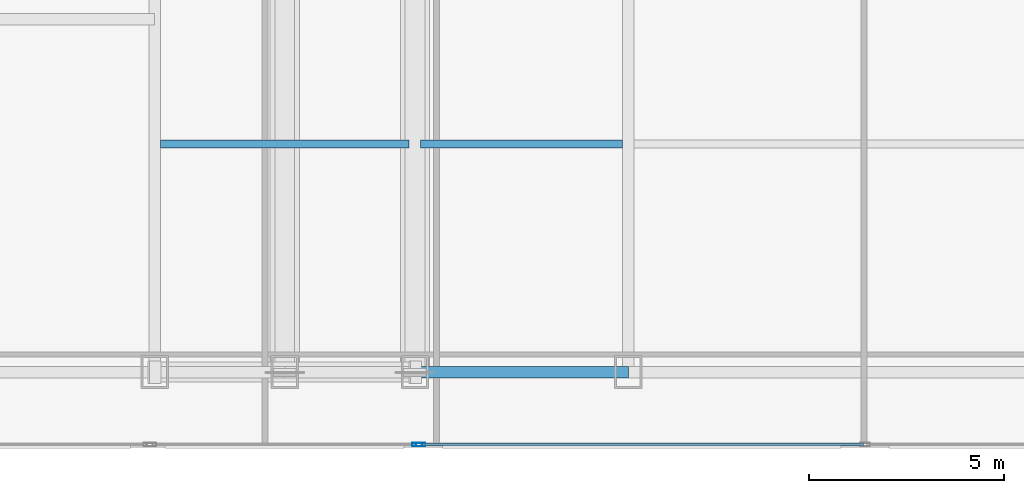
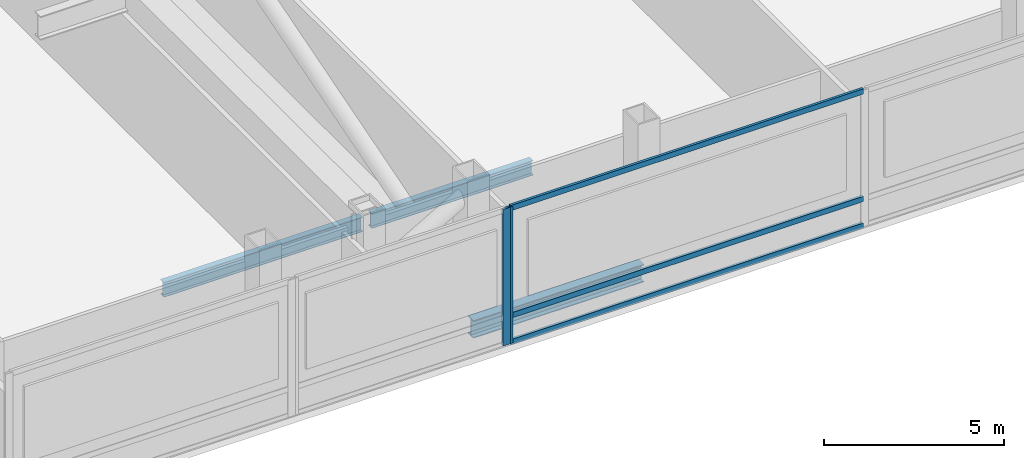
# One storey, part 8 of 30: 5 members, 3 beams, 2 elements without a shape of their own.
"""IFC4 building model written with IfcOpenShell, lengths in metres."""

from ifc_helpers import new_model, si_unit, direction, frame, origin, origin_2d, place, context, subcontext, project, spatial, hollow_rectangle, i_section, extrude, material, material_profile, profile_set, type_object, element, aggregate, save


model = new_model("IFC4")

# Units and contexts
model_context = context("Model", 3, precision=1e-05, world=origin(), true_north=direction((0.0, 1.0)))
body_context = subcontext(model_context, "Body", "Model", "MODEL_VIEW")
ifc_project = project(units=[si_unit("LENGTHUNIT", "METRE"), si_unit("AREAUNIT", "SQUARE_METRE"), si_unit("VOLUMEUNIT", "CUBIC_METRE"), si_unit("PLANEANGLEUNIT", "RADIAN"), si_unit("MASSUNIT", "GRAM", prefix="KILO")], contexts=[model_context])

# Site, building, storey
site_placement = place(None, origin())
site = spatial("IfcSite", under=ifc_project, at=site_placement, CompositionType="ELEMENT")
building_placement = place(site_placement, origin())
building = spatial("IfcBuilding", under=site, at=building_placement, Name="Khoronbel Lancet Exchange", CompositionType="ELEMENT")
storey_placement = place(building_placement, frame((0.0, 0.0, 172.199951171875)))
storey = spatial("IfcBuildingStorey", under=building, at=storey_placement, Name="L43", CompositionType="ELEMENT", Elevation=172.199951171875)

# Beams
ifc_material_1 = material(Name="Steel S355", Category="steel")
ifc_material_profile_1 = material_profile(ifc_material_1, i_section(OverallWidth=0.199951171875, OverallDepth=0.5, WebThickness=0.01025390625, FlangeThickness=0.01611328125, at=origin_2d()), Name="IPE 500")
ifc_profile_set_1 = profile_set([ifc_material_profile_1], Name="Steel S355")
beam_type_1 = type_object("IfcBeamType", Name="BM-BJ3", PredefinedType="JOIST", material=ifc_profile_set_1)
beam_1_placement = place(storey_placement, frame((18.375, 16.0, -0.469970703125), z_axis=(1.0, 0.0, 0.0), x_axis=(0.0, 1.0, 0.0)))
element("IfcBeam", 1, at=beam_1_placement, inside=storey, type_object=beam_type_1, Name="Level L43 secondary composite joist J01", PredefinedType="JOIST", context=body_context, shape_type="SweptSolid", body=[
    extrude(i_section(OverallWidth=0.199951171875, OverallDepth=0.5, WebThickness=0.01025390625, FlangeThickness=0.01611328125, at=origin_2d()), origin(), (0.0, 0.0, 1.0), 6.375),
])
beam_2_placement = place(storey_placement, frame((25.050048828125, 16.0, -0.469970703125), z_axis=(1.0, 0.0, 0.0), x_axis=(0.0, 1.0, 0.0)))
element("IfcBeam", 2, at=beam_2_placement, inside=storey, type_object=beam_type_1, Name="Level L43 secondary composite joist J02", PredefinedType="JOIST", context=body_context, shape_type="SweptSolid", body=[
    extrude(i_section(OverallWidth=0.199951171875, OverallDepth=0.5, WebThickness=0.01025390625, FlangeThickness=0.01611328125, at=origin_2d()), origin(), (0.0, 0.0, 1.0), 5.175048828125),
])
ifc_material_profile_2 = material_profile(ifc_material_1, i_section(OverallWidth=0.300048828125, OverallDepth=0.60009765625, WebThickness=0.015380859375, FlangeThickness=0.030029296875, at=origin_2d()), Name="HEB 600")
ifc_profile_set_2 = profile_set([ifc_material_profile_2], Name="Steel S355")
beam_type_2 = type_object("IfcBeamType", Name="BM-BSP2", PredefinedType="SPANDREL", material=ifc_profile_set_2)
beam_3_placement = place(storey_placement, frame((24.89990234375, 10.14990234375, -0.52001953125), z_axis=(1.0, 0.0, 0.0), x_axis=(0.0, 1.0, 0.0)))
element("IfcBeam", 3, at=beam_3_placement, inside=storey, type_object=beam_type_2, Name="Level L43 perimeter spandrel beam SP04", PredefinedType="SPANDREL", context=body_context, shape_type="SweptSolid", body=[
    extrude(i_section(OverallWidth=0.300048828125, OverallDepth=0.60009765625, WebThickness=0.015380859375, FlangeThickness=0.030029296875, at=origin_2d()), origin(), (0.0, 0.0, 1.0), 5.47509765625),
])

# Curtain wall, member
ifc_material_2 = material(Name="Low-E Solar Control Insulating Glass", Category="glass")
curtain_wall_type = type_object("IfcCurtainWallType", Name="CW-3", PredefinedType="NOTDEFINED", material=ifc_material_2)
curtain_wall_1_placement = place(storey_placement, origin())
curtain_wall_1 = element("IfcCurtainWall", 4, at=curtain_wall_1_placement, inside=storey, type_object=curtain_wall_type, Name="Unitised curtain wall CW-L43-SWB", PredefinedType="NOTDEFINED")
ifc_material_3 = material(Name="Bronze-Anodised Aluminium 6063-T6", Category="aluminium")
ifc_material_profile_3 = material_profile(ifc_material_3, hollow_rectangle(XDim=0.0849609375, YDim=0.239990234375, WallThickness=0.006103515625, at=origin_2d()), Name="ALU MULLION 85x240")
ifc_profile_set_3 = profile_set([ifc_material_profile_3], Name="Bronze-Anodised Aluminium 6063-T6")
member_type_1 = type_object("IfcMemberType", Name="MEM-CWM1", PredefinedType="MULLION", material=ifc_profile_set_3)
member_1_placement = place(storey_placement, frame((24.95751953125, 8.2900390625, 0.0), z_axis=(0.0, 0.0, 1.0), x_axis=(0.0, 1.0, 0.0)))
member_1 = element("IfcMember", 5, at=member_1_placement, type_object=member_type_1, Name="CW3 mullion 2", PredefinedType="MULLION", context=body_context, shape_type="SweptSolid", body=[
    extrude(hollow_rectangle(XDim=0.0849609375, YDim=0.239990234375, WallThickness=0.006103515625, at=origin_2d()), origin(), (0.0, 0.0, 1.0), 4.64013671875),
])
aggregate(curtain_wall_1, [member_1])

# Curtain wall, members
curtain_wall_2_placement = place(storey_placement, origin())
curtain_wall_2 = element("IfcCurtainWall", 6, at=curtain_wall_2_placement, inside=storey, type_object=curtain_wall_type, Name="Unitised curtain wall CW-L43-SCV", PredefinedType="NOTDEFINED")
member_2_placement = place(storey_placement, frame((25.04248046875, 8.2900390625, 0.0), z_axis=(0.0, 0.0, 1.0), x_axis=(0.0, 1.0, 0.0)))
member_2 = element("IfcMember", 7, at=member_2_placement, type_object=member_type_1, Name="CW3 mullion 1", PredefinedType="MULLION", context=body_context, shape_type="SweptSolid", body=[
    extrude(hollow_rectangle(XDim=0.0849609375, YDim=0.239990234375, WallThickness=0.006103515625, at=origin_2d()), origin(), (0.0, 0.0, 1.0), 4.64013671875),
])
ifc_material_profile_4 = material_profile(ifc_material_3, hollow_rectangle(XDim=0.0849609375, YDim=0.179931640625, WallThickness=0.0048828125, at=origin_2d()), Name="ALU TRANSOM 85x180")
ifc_profile_set_4 = profile_set([ifc_material_profile_4], Name="Bronze-Anodised Aluminium 6063-T6")
member_type_2 = type_object("IfcMemberType", Name="MEM-CWT1", PredefinedType="USERDEFINED", material=ifc_profile_set_4)
member_3_placement = place(storey_placement, frame((25.0849609375, 8.2900390625, 0.04248046875), z_axis=(1.0, 0.0, 0.0), x_axis=(0.0, 1.0, 0.0)))
member_3 = element("IfcMember", 8, at=member_3_placement, type_object=member_type_2, Name="CW3 transom 1.1", ObjectType="TRANSOM", PredefinedType="USERDEFINED", context=body_context, shape_type="SweptSolid", body=[
    extrude(hollow_rectangle(XDim=0.0849609375, YDim=0.179931640625, WallThickness=0.0048828125, at=origin_2d()), origin(), (0.0, 0.0, 1.0), 11.322509765625),
])
member_4_placement = place(storey_placement, frame((25.0849609375, 8.2900390625, 0.949951171875), z_axis=(1.0, 0.0, 0.0), x_axis=(0.0, 1.0, 0.0)))
member_4 = element("IfcMember", 9, at=member_4_placement, type_object=member_type_2, Name="CW3 transom 1.2", ObjectType="TRANSOM", PredefinedType="USERDEFINED", context=body_context, shape_type="SweptSolid", body=[
    extrude(hollow_rectangle(XDim=0.0849609375, YDim=0.179931640625, WallThickness=0.0048828125, at=origin_2d()), origin(), (0.0, 0.0, 1.0), 11.322509765625),
])
member_5_placement = place(storey_placement, frame((25.0849609375, 8.2900390625, 4.59765625), z_axis=(1.0, 0.0, 0.0), x_axis=(0.0, 1.0, 0.0)))
member_5 = element("IfcMember", 10, at=member_5_placement, type_object=member_type_2, Name="CW3 transom 1.3", ObjectType="TRANSOM", PredefinedType="USERDEFINED", context=body_context, shape_type="SweptSolid", body=[
    extrude(hollow_rectangle(XDim=0.0849609375, YDim=0.179931640625, WallThickness=0.0048828125, at=origin_2d()), origin(), (0.0, 0.0, 1.0), 11.322509765625),
])
aggregate(curtain_wall_2, [member_2, member_3, member_4, member_5])

save(model, "model.ifc")
